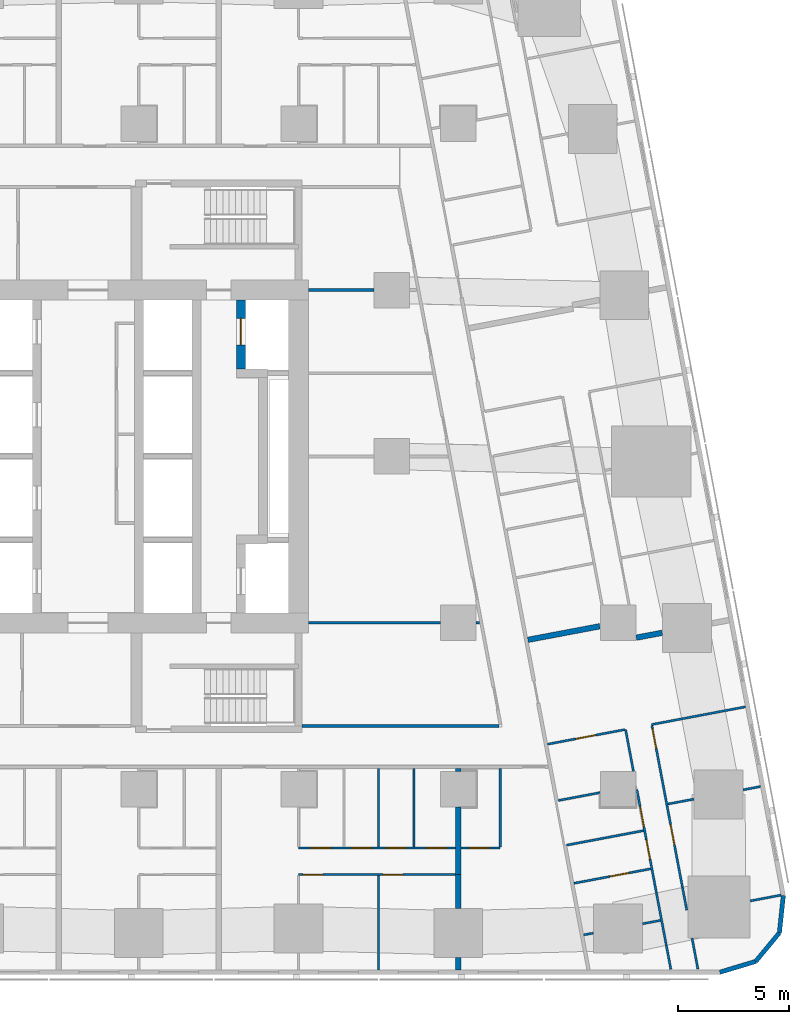
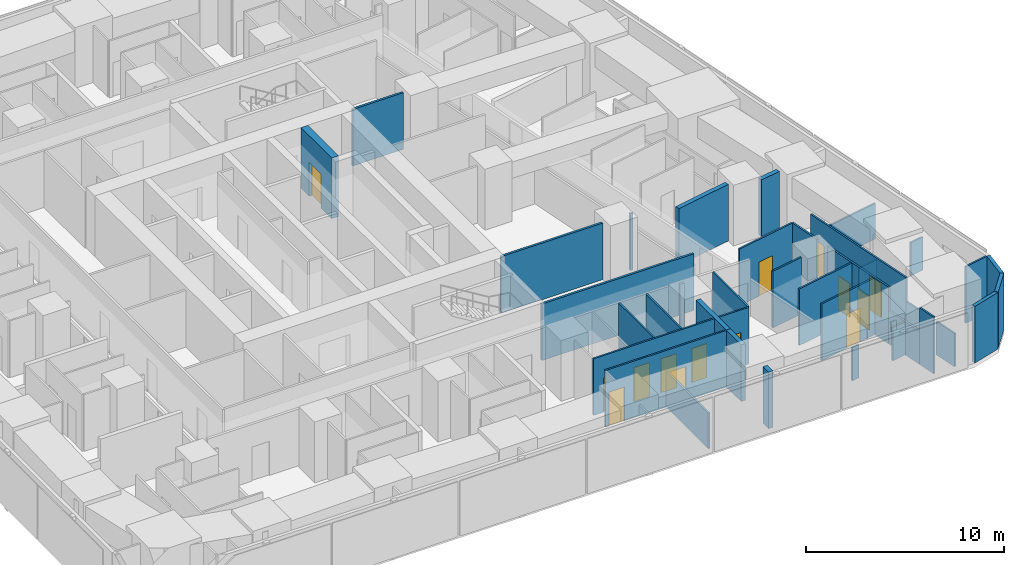
# One storey, part 7 of 16: 38 walls, 14 doors, 14 openings.
"""IFC4 building model written with IfcOpenShell, lengths in metres."""

from ifc_helpers import new_model, si_unit, direction, frame, frame_2d, origin, place, context, subcontext, project, spatial, rectangle, extrude, material, layer, layer_set, type_object, element, fill, save


model = new_model("IFC4")

# Units and contexts
model_context = context("Model", 3, precision=1e-05, world=origin(), true_north=direction((0.0, 1.0)))
body_context = subcontext(model_context, "Body", "Model", "MODEL_VIEW")
ifc_project = project(units=[si_unit("LENGTHUNIT", "METRE"), si_unit("AREAUNIT", "SQUARE_METRE"), si_unit("VOLUMEUNIT", "CUBIC_METRE"), si_unit("PLANEANGLEUNIT", "RADIAN"), si_unit("MASSUNIT", "GRAM", prefix="KILO")], contexts=[model_context])

# Site, building, storey
site_placement = place(None, origin())
site = spatial("IfcSite", under=ifc_project, at=site_placement, CompositionType="ELEMENT")
building_placement = place(site_placement, origin())
building = spatial("IfcBuilding", under=site, at=building_placement, Name="Sheger Commons Tower", CompositionType="ELEMENT")
storey_placement = place(building_placement, frame((0.0, 0.0, 92.89990234375)))
storey = spatial("IfcBuildingStorey", under=building, at=storey_placement, Name="L23", CompositionType="ELEMENT", Elevation=92.89990234375)

# Wall, opening, door
ifc_material_1 = material(Name="Concrete C50/60", Category="concrete")
ifc_layer_1 = layer(ifc_material_1, 0.39990234375)
ifc_layer_set_1 = layer_set([ifc_layer_1], Name="CORE INNER WALL 400")
wall_type_1 = type_object("IfcWallType", Name="CORE INNER WALL 400", PredefinedType="SHEAR", material=ifc_layer_set_1)
wall_1_placement = place(storey_placement, frame((26.199951171875, 26.449951171875, 0.0), z_axis=(0.0, 0.0, 1.0), x_axis=(0.0, 1.0, 0.0)))
wall_1 = element("IfcWall", 1, at=wall_1_placement, inside=storey, type_object=wall_type_1, Name="Core inner wall F north L23", PredefinedType="SHEAR", context=body_context, shape_type="SweptSolid", body=[
    extrude(rectangle(XDim=3.10009765625, YDim=0.39990234375, at=frame_2d((1.550048828125, 0.0))), origin(), (0.0, 0.0, 1.0), 3.75),
])
opening_1_placement = place(wall_1_placement, frame((1.074951171875, 0.0, 0.0)))
opening_1 = element("IfcOpeningElement", 2, at=opening_1_placement, cuts=wall_1, Name="Opening LD2", PredefinedType="OPENING", context=body_context, shape_type="SweptSolid", body=[
    extrude(rectangle(XDim=1.199951171875, YDim=2.10009765625, at=frame_2d((0.60009765625, 1.050048828125))), frame((0.0, 0.2099609375, 0.0), z_axis=(0.0, -1.0, 0.0), x_axis=(1.0, 0.0, 0.0)), (0.0, 0.0, 1.0), 0.419921875),
])
ifc_material_2 = material(Name="Steel door set, fire rated", Category="steel")
door_type_1 = type_object("IfcDoorType", Name="FIREFIGHTING LIFT LANDING DOOR 1200x2100", OperationType="DOUBLE_DOOR_SLIDING", PredefinedType="DOOR", material=ifc_material_2)
door_1_placement = place(opening_1_placement, origin())
door_1 = element("IfcDoor", 3, at=door_1_placement, inside=storey, type_object=door_type_1, Name="Lift FL2 landing door", OperationType="DOUBLE_DOOR_SLIDING", OverallHeight=2.10009765625, OverallWidth=1.199951171875, PredefinedType="DOOR", context=body_context, shape_type="SweptSolid", body=[
    extrude(rectangle(XDim=1.199951171875, YDim=2.10009765625, at=frame_2d((0.60009765625, 1.050048828125))), frame((0.0, 0.02490234375, 0.0), z_axis=(0.0, -1.0, 0.0), x_axis=(1.0, 0.0, 0.0)), (0.0, 0.0, 1.0), 0.050048828125),
])
fill(opening_1, door_1)

# Walls
ifc_material_3 = material(Name="Dense concrete block masonry, plastered both sides (separating wall between flats)", Category="masonry")
ifc_layer_2 = layer(ifc_material_3, 0.25)
ifc_layer_set_2 = layer_set([ifc_layer_2], Name="DEMISING WALL 250")
wall_type_2 = type_object("IfcWallType", Name="DEMISING WALL 250", PredefinedType="SOLIDWALL", material=ifc_layer_set_2)
wall_2_placement = place(storey_placement, frame((36.0, -0.64990234375, 0.0), z_axis=(0.0, 0.0, 1.0), x_axis=(0.0, 1.0, 0.0)))
element("IfcWall", 4, at=wall_2_placement, inside=storey, type_object=wall_type_2, Name="Demising wall L23", PredefinedType="SOLIDWALL", context=body_context, shape_type="SweptSolid", body=[
    extrude(rectangle(XDim=0.573974609375, YDim=0.25, at=frame_2d((0.287109375, 0.0))), origin(), (0.0, 0.0, 1.0), 3.5),
])
wall_3_placement = place(storey_placement, frame((36.0, 2.1259765625, 0.0), z_axis=(0.0, 0.0, 1.0), x_axis=(0.0, 1.0, 0.0)))
element("IfcWall", 5, at=wall_3_placement, inside=storey, type_object=wall_type_2, Name="Demising wall L23", PredefinedType="SOLIDWALL", context=body_context, shape_type="SweptSolid", body=[
    extrude(rectangle(XDim=1.52392578125, YDim=0.25, at=frame_2d((0.761962890625, 0.0))), origin(), (0.0, 0.0, 1.0), 3.5),
])
wall_4_placement = place(storey_placement, frame((36.0, 3.64990234375, 0.0), z_axis=(0.0, 0.0, 1.0), x_axis=(0.0, 1.0, 0.0)))
element("IfcWall", 6, at=wall_4_placement, inside=storey, type_object=wall_type_2, Name="Demising wall L23", PredefinedType="SOLIDWALL", context=body_context, shape_type="SweptSolid", body=[
    extrude(rectangle(XDim=3.049072265625, YDim=0.25, at=frame_2d((1.5244140625, 0.0))), origin(), (0.0, 0.0, 1.0), 3.5),
])
wall_5_placement = place(storey_placement, frame((36.0, 8.301025390625, 0.0), z_axis=(0.0, 0.0, 1.0), x_axis=(0.0, 1.0, 0.0)))
element("IfcWall", 7, at=wall_5_placement, inside=storey, type_object=wall_type_2, Name="Demising wall L23", PredefinedType="SOLIDWALL", context=body_context, shape_type="SweptSolid", body=[
    extrude(rectangle(XDim=0.1240234375, YDim=0.25, at=frame_2d((0.06201171875, 0.0))), origin(), (0.0, 0.0, 1.0), 3.5),
])
wall_6_placement = place(storey_placement, frame((45.18994140625, 14.550048828125, 0.0), z_axis=(0.0, 0.0, 1.0), x_axis=(-0.982666604435, -0.185381618634, 0.0)))
element("IfcWall", 8, at=wall_6_placement, inside=storey, type_object=wall_type_2, Name="Demising wall L23", PredefinedType="SOLIDWALL", context=body_context, shape_type="SweptSolid", body=[
    extrude(rectangle(XDim=1.1865234375, YDim=0.25, at=frame_2d((0.59326171875, 0.0))), origin(), (0.0, 0.0, 1.0), 3.5),
])
wall_7_placement = place(storey_placement, frame((42.3759765625, 14.843994140625, 0.0), z_axis=(0.0, 0.0, 1.0), x_axis=(-0.982610440948, -0.18567908159, 0.0)))
element("IfcWall", 9, at=wall_7_placement, inside=storey, type_object=wall_type_2, Name="Demising wall L23", PredefinedType="SOLIDWALL", context=body_context, shape_type="SweptSolid", body=[
    extrude(rectangle(XDim=3.29638671875, YDim=0.25, at=frame_2d((1.648193359375, 0.0))), origin(), (0.0, 0.0, 1.0), 3.5),
])
ifc_material_4 = material(Name="Rendered concrete block masonry, dark grey", Category="masonry")
ifc_layer_3 = layer(ifc_material_4, 0.199951171875)
ifc_layer_set_3 = layer_set([ifc_layer_3], Name="FACADE WALL 200")
wall_type_3 = type_object("IfcWallType", Name="FACADE WALL 200", PredefinedType="SOLIDWALL", material=ifc_layer_set_3)
wall_8_placement = place(storey_placement, frame((47.791015625, -0.75, 0.0), z_axis=(0.0, 0.0, 1.0), x_axis=(0.957455232626, 0.288581838509, 0.0)))
element("IfcWall", 10, at=wall_8_placement, inside=storey, type_object=wall_type_3, Name="Facade wall L23", PredefinedType="SOLIDWALL", context=body_context, shape_type="SweptSolid", body=[
    extrude(rectangle(XDim=1.687744140625, YDim=0.199951171875, at=frame_2d((0.84375, 0.0))), origin(), (0.0, 0.0, 1.0), 3.5),
])
wall_9_placement = place(storey_placement, frame((49.406982421875, -0.262939453125, 0.0), z_axis=(0.0, 0.0, 1.0), x_axis=(0.638042593423, 0.770001070764, 0.0)))
element("IfcWall", 11, at=wall_9_placement, inside=storey, type_object=wall_type_3, Name="Facade wall L23", PredefinedType="SOLIDWALL", context=body_context, shape_type="SweptSolid", body=[
    extrude(rectangle(XDim=1.672607421875, YDim=0.199951171875, at=frame_2d((0.83642578125, 0.0))), origin(), (0.0, 0.0, 1.0), 3.5),
])
wall_10_placement = place(storey_placement, frame((50.47412109375, 1.02490234375, 0.0), z_axis=(0.0, 0.0, 1.0), x_axis=(0.106047815515, 0.994361031429, 0.0)))
element("IfcWall", 12, at=wall_10_placement, inside=storey, type_object=wall_type_3, Name="Facade wall L23", PredefinedType="SOLIDWALL", context=body_context, shape_type="SweptSolid", body=[
    extrude(rectangle(XDim=1.6875, YDim=0.199951171875, at=frame_2d((0.84375, 0.0))), origin(), (0.0, 0.0, 1.0), 3.5),
])

# Wall, openings, doors
ifc_material_5 = material(Name="Gypsum board on steel studs", Category="steel")
ifc_layer_4 = layer(ifc_material_5, 0.10009765625)
ifc_layer_set_4 = layer_set([ifc_layer_4], Name="PARTITION 100")
wall_type_4 = type_object("IfcWallType", Name="PARTITION 100", PredefinedType="PARTITIONING", material=ifc_layer_set_4)
wall_11_placement = place(storey_placement, frame((35.875, 3.64990234375, 0.0), z_axis=(0.0, 0.0, 1.0), x_axis=(-1.0, 0.0, 0.0)))
wall_11 = element("IfcWall", 13, at=wall_11_placement, inside=storey, type_object=wall_type_4, Name="Partition L23", PredefinedType="PARTITIONING", context=body_context, shape_type="SweptSolid", body=[
    extrude(rectangle(XDim=7.074951171875, YDim=0.10009765625, at=frame_2d((3.53759765625, 0.0))), origin(), (0.0, 0.0, 1.0), 3.5),
])
opening_2_placement = place(wall_11_placement, frame((5.97509765625, 0.0, 0.0)))
opening_2 = element("IfcOpeningElement", 14, at=opening_2_placement, cuts=wall_11, Name="Opening D2", PredefinedType="OPENING", context=body_context, shape_type="SweptSolid", body=[
    extrude(rectangle(XDim=0.89990234375, YDim=2.10009765625, at=frame_2d((0.449951171875, 1.050048828125))), frame((0.0, 0.06005859375, 0.0), z_axis=(0.0, -1.0, 0.0), x_axis=(1.0, 0.0, 0.0)), (0.0, 0.0, 1.0), 0.1201171875),
])
opening_3_placement = place(wall_11_placement, frame((2.375, 0.0, 0.0)))
opening_3 = element("IfcOpeningElement", 15, at=opening_3_placement, cuts=wall_11, Name="Opening D2", PredefinedType="OPENING", context=body_context, shape_type="SweptSolid", body=[
    extrude(rectangle(XDim=0.89990234375, YDim=2.10009765625, at=frame_2d((0.449951171875, 1.050048828125))), frame((0.0, 0.06005859375, 0.0), z_axis=(0.0, -1.0, 0.0), x_axis=(1.0, 0.0, 0.0)), (0.0, 0.0, 1.0), 0.1201171875),
])
ifc_material_6 = material(Name="Timber door set", Category="wood")
door_type_2 = type_object("IfcDoorType", Name="INTERNAL DOOR 900x2100", OperationType="NOTDEFINED", PredefinedType="DOOR", material=ifc_material_6)
door_2_placement = place(opening_2_placement, origin())
door_2 = element("IfcDoor", 16, at=door_2_placement, inside=storey, type_object=door_type_2, Name="Main bedroom door", OperationType="SINGLE_SWING_RIGHT", OverallHeight=2.10009765625, OverallWidth=0.89990234375, PredefinedType="DOOR", context=body_context, shape_type="SweptSolid", body=[
    extrude(rectangle(XDim=0.89990234375, YDim=2.10009765625, at=frame_2d((0.449951171875, 1.050048828125))), frame((0.0, 0.02490234375, 0.0), z_axis=(0.0, -1.0, 0.0), x_axis=(1.0, 0.0, 0.0)), (0.0, 0.0, 1.0), 0.050048828125),
])
fill(opening_2, door_2)
door_3_placement = place(opening_3_placement, origin())
door_3 = element("IfcDoor", 17, at=door_3_placement, inside=storey, type_object=door_type_2, Name="Bedroom 2 door", OperationType="SINGLE_SWING_RIGHT", OverallHeight=2.10009765625, OverallWidth=0.89990234375, PredefinedType="DOOR", context=body_context, shape_type="SweptSolid", body=[
    extrude(rectangle(XDim=0.89990234375, YDim=2.10009765625, at=frame_2d((0.449951171875, 1.050048828125))), frame((0.0, 0.02490234375, 0.0), z_axis=(0.0, -1.0, 0.0), x_axis=(1.0, 0.0, 0.0)), (0.0, 0.0, 1.0), 0.050048828125),
])
fill(opening_3, door_3)

wall_12_placement = place(storey_placement, frame((35.875, 4.85009765625, 0.0), z_axis=(0.0, 0.0, 1.0), x_axis=(-1.0, 0.0, 0.0)))
wall_12 = element("IfcWall", 18, at=wall_12_placement, inside=storey, type_object=wall_type_4, Name="Partition L23", PredefinedType="PARTITIONING", context=body_context, shape_type="SweptSolid", body=[
    extrude(rectangle(XDim=7.074951171875, YDim=0.10009765625, at=frame_2d((3.53759765625, 0.0))), origin(), (0.0, 0.0, 1.0), 3.5),
])
opening_4_placement = place(wall_12_placement, frame((5.60009765625, 0.0, 0.0)))
opening_4 = element("IfcOpeningElement", 19, at=opening_4_placement, cuts=wall_12, Name="Opening D2", PredefinedType="OPENING", context=body_context, shape_type="SweptSolid", body=[
    extrude(rectangle(XDim=0.89990234375, YDim=2.10009765625, at=frame_2d((0.449951171875, 1.050048828125))), frame((0.0, 0.06005859375, 0.0), z_axis=(0.0, -1.0, 0.0), x_axis=(1.0, 0.0, 0.0)), (0.0, 0.0, 1.0), 0.1201171875),
])
opening_5_placement = place(wall_12_placement, frame((2.22509765625, 0.0, 0.0)))
opening_5 = element("IfcOpeningElement", 20, at=opening_5_placement, cuts=wall_12, Name="Opening D2", PredefinedType="OPENING", context=body_context, shape_type="SweptSolid", body=[
    extrude(rectangle(XDim=0.89990234375, YDim=2.10009765625, at=frame_2d((0.449951171875, 1.050048828125))), frame((0.0, 0.06005859375, 0.0), z_axis=(0.0, -1.0, 0.0), x_axis=(1.0, 0.0, 0.0)), (0.0, 0.0, 1.0), 0.1201171875),
])
opening_6_placement = place(wall_12_placement, frame((3.800048828125, 0.0, 0.0)))
opening_6 = element("IfcOpeningElement", 21, at=opening_6_placement, cuts=wall_12, Name="Opening D2", PredefinedType="OPENING", context=body_context, shape_type="SweptSolid", body=[
    extrude(rectangle(XDim=0.89990234375, YDim=2.10009765625, at=frame_2d((0.449951171875, 1.050048828125))), frame((0.0, 0.06005859375, 0.0), z_axis=(0.0, -1.0, 0.0), x_axis=(1.0, 0.0, 0.0)), (0.0, 0.0, 1.0), 0.1201171875),
])
opening_7_placement = place(wall_12_placement, frame((0.425048828125, 0.0, 0.0)))
opening_7 = element("IfcOpeningElement", 22, at=opening_7_placement, cuts=wall_12, Name="Opening D2", PredefinedType="OPENING", context=body_context, shape_type="SweptSolid", body=[
    extrude(rectangle(XDim=0.89990234375, YDim=2.10009765625, at=frame_2d((0.449951171875, 1.050048828125))), frame((0.0, 0.06005859375, 0.0), z_axis=(0.0, -1.0, 0.0), x_axis=(1.0, 0.0, 0.0)), (0.0, 0.0, 1.0), 0.1201171875),
])
door_4_placement = place(opening_4_placement, origin())
door_4 = element("IfcDoor", 23, at=door_4_placement, inside=storey, type_object=door_type_2, Name="Bathroom door", OperationType="SINGLE_SWING_LEFT", OverallHeight=2.10009765625, OverallWidth=0.89990234375, PredefinedType="DOOR", context=body_context, shape_type="SweptSolid", body=[
    extrude(rectangle(XDim=0.89990234375, YDim=2.10009765625, at=frame_2d((0.449951171875, 1.050048828125))), frame((0.0, 0.02490234375, 0.0), z_axis=(0.0, -1.0, 0.0), x_axis=(1.0, 0.0, 0.0)), (0.0, 0.0, 1.0), 0.050048828125),
])
fill(opening_4, door_4)
door_5_placement = place(opening_5_placement, origin())
door_5 = element("IfcDoor", 24, at=door_5_placement, inside=storey, type_object=door_type_2, Name="Shower room door", OperationType="SINGLE_SWING_LEFT", OverallHeight=2.10009765625, OverallWidth=0.89990234375, PredefinedType="DOOR", context=body_context, shape_type="SweptSolid", body=[
    extrude(rectangle(XDim=0.89990234375, YDim=2.10009765625, at=frame_2d((0.449951171875, 1.050048828125))), frame((0.0, 0.02490234375, 0.0), z_axis=(0.0, -1.0, 0.0), x_axis=(1.0, 0.0, 0.0)), (0.0, 0.0, 1.0), 0.050048828125),
])
fill(opening_5, door_5)
door_6_placement = place(opening_6_placement, origin())
door_6 = element("IfcDoor", 25, at=door_6_placement, inside=storey, type_object=door_type_2, Name="Store door", OperationType="SINGLE_SWING_LEFT", OverallHeight=2.10009765625, OverallWidth=0.89990234375, PredefinedType="DOOR", context=body_context, shape_type="SweptSolid", body=[
    extrude(rectangle(XDim=0.89990234375, YDim=2.10009765625, at=frame_2d((0.449951171875, 1.050048828125))), frame((0.0, 0.02490234375, 0.0), z_axis=(0.0, -1.0, 0.0), x_axis=(1.0, 0.0, 0.0)), (0.0, 0.0, 1.0), 0.050048828125),
])
fill(opening_6, door_6)
door_7_placement = place(opening_7_placement, origin())
door_7 = element("IfcDoor", 26, at=door_7_placement, inside=storey, type_object=door_type_2, Name="Store door", OperationType="SINGLE_SWING_RIGHT", OverallHeight=2.10009765625, OverallWidth=0.89990234375, PredefinedType="DOOR", context=body_context, shape_type="SweptSolid", body=[
    extrude(rectangle(XDim=0.89990234375, YDim=2.10009765625, at=frame_2d((0.449951171875, 1.050048828125))), frame((0.0, 0.02490234375, 0.0), z_axis=(0.0, -1.0, 0.0), x_axis=(1.0, 0.0, 0.0)), (0.0, 0.0, 1.0), 0.050048828125),
])
fill(opening_7, door_7)

# Walls
wall_13_placement = place(storey_placement, frame((32.39990234375, -0.64990234375, 0.0), z_axis=(0.0, 0.0, 1.0), x_axis=(0.0, 1.0, 0.0)))
element("IfcWall", 27, at=wall_13_placement, inside=storey, type_object=wall_type_4, Name="Partition L23", PredefinedType="PARTITIONING", context=body_context, shape_type="SweptSolid", body=[
    extrude(rectangle(XDim=4.25, YDim=0.10009765625, at=frame_2d((2.125, 0.0))), origin(), (0.0, 0.0, 1.0), 2.2001953125),
])
for number, where, z_axis, x_axis, name in (
    (28, (32.39990234375, 4.89990234375, 0.0), (0.0, 0.0, 1.0), (0.0, 1.0, 0.0), "Partition L23"),
    (29, (34.0, 4.89990234375, 0.0), (0.0, 0.0, 1.0), (0.0, 1.0, 0.0), "Partition L23"),
):
    element("IfcWall", number, at=place(storey_placement, frame(where, z_axis=z_axis, x_axis=x_axis)), inside=storey, type_object=wall_type_4, Name=name, PredefinedType="PARTITIONING", context=body_context, shape_type="SweptSolid", body=[
        extrude(rectangle(XDim=3.525146484375, YDim=0.10009765625, at=frame_2d((1.7626953125, 0.0))), origin(), (0.0, 0.0, 1.0), 3.5),
    ])

# Wall, opening, door
wall_14_placement = place(storey_placement, frame((37.889892578125, 4.85009765625, 0.0), z_axis=(0.0, 0.0, 1.0), x_axis=(-1.0, 0.0, 0.0)))
wall_14 = element("IfcWall", 30, at=wall_14_placement, inside=storey, type_object=wall_type_4, Name="Partition L23", PredefinedType="PARTITIONING", context=body_context, shape_type="SweptSolid", body=[
    extrude(rectangle(XDim=1.764892578125, YDim=0.10009765625, at=frame_2d((0.88232421875, 0.0))), origin(), (0.0, 0.0, 1.0), 3.5),
])
opening_8_placement = place(wall_14_placement, frame((0.489990234375, 0.0, 0.0)))
opening_8 = element("IfcOpeningElement", 31, at=opening_8_placement, cuts=wall_14, Name="Opening D2", PredefinedType="OPENING", context=body_context, shape_type="SweptSolid", body=[
    extrude(rectangle(XDim=0.89990234375, YDim=2.10009765625, at=frame_2d((0.449951171875, 1.050048828125))), frame((0.0, 0.06005859375, 0.0), z_axis=(0.0, -1.0, 0.0), x_axis=(1.0, 0.0, 0.0)), (0.0, 0.0, 1.0), 0.1201171875),
])
door_8_placement = place(opening_8_placement, origin())
door_8 = element("IfcDoor", 32, at=door_8_placement, inside=storey, type_object=door_type_2, Name="Shower room door", OperationType="SINGLE_SWING_LEFT", OverallHeight=2.10009765625, OverallWidth=0.89990234375, PredefinedType="DOOR", context=body_context, shape_type="SweptSolid", body=[
    extrude(rectangle(XDim=0.89990234375, YDim=2.10009765625, at=frame_2d((0.449951171875, 1.050048828125))), frame((0.0, 0.02490234375, 0.0), z_axis=(0.0, -1.0, 0.0), x_axis=(1.0, 0.0, 0.0)), (0.0, 0.0, 1.0), 0.050048828125),
])
fill(opening_8, door_8)

# Wall
wall_15_placement = place(storey_placement, frame((37.889892578125, 4.89990234375, 0.0), z_axis=(0.0, 0.0, 1.0), x_axis=(0.0, 1.0, 0.0)))
element("IfcWall", 33, at=wall_15_placement, inside=storey, type_object=wall_type_4, Name="Partition L23", PredefinedType="PARTITIONING", context=body_context, shape_type="SweptSolid", body=[
    extrude(rectangle(XDim=3.525146484375, YDim=0.10009765625, at=frame_2d((1.7626953125, 0.0))), origin(), (0.0, 0.0, 1.0), 3.5),
])

# Wall, openings, doors
wall_16_placement = place(storey_placement, frame((44.72705078125, 10.365966796875, 0.0), z_axis=(0.0, 0.0, 1.0), x_axis=(0.185678775129, -0.982610498858, 0.0)))
wall_16 = element("IfcWall", 34, at=wall_16_placement, inside=storey, type_object=wall_type_4, Name="Partition L23", PredefinedType="PARTITIONING", context=body_context, shape_type="SweptSolid", body=[
    extrude(rectangle(XDim=7.421142578125, YDim=0.10009765625, at=frame_2d((3.71044921875, 0.0))), origin(), (0.0, 0.0, 1.0), 3.5),
])
opening_9_placement = place(wall_16_placement, frame((0.15087890625, 0.0, 0.0)))
opening_9 = element("IfcOpeningElement", 35, at=opening_9_placement, cuts=wall_16, Name="Opening D2", PredefinedType="OPENING", context=body_context, shape_type="SweptSolid", body=[
    extrude(rectangle(XDim=0.89990234375, YDim=2.10009765625, at=frame_2d((0.449951171875, 1.050048828125))), frame((0.0, 0.06005859375, 0.0), z_axis=(0.0, -1.0, 0.0), x_axis=(1.0, 0.0, 0.0)), (0.0, 0.0, 1.0), 0.1201171875),
])
opening_10_placement = place(wall_16_placement, frame((4.550048828125, 0.0, 0.0)))
opening_10 = element("IfcOpeningElement", 36, at=opening_10_placement, cuts=wall_16, Name="Opening D2", PredefinedType="OPENING", context=body_context, shape_type="SweptSolid", body=[
    extrude(rectangle(XDim=0.89990234375, YDim=2.10009765625, at=frame_2d((0.449951171875, 1.050048828125))), frame((0.0, 0.06005859375, 0.0), z_axis=(0.0, -1.0, 0.0), x_axis=(1.0, 0.0, 0.0)), (0.0, 0.0, 1.0), 0.1201171875),
])
door_9_placement = place(opening_9_placement, origin())
door_9 = element("IfcDoor", 37, at=door_9_placement, inside=storey, type_object=door_type_2, Name="Main bedroom door", OperationType="SINGLE_SWING_LEFT", OverallHeight=2.10009765625, OverallWidth=0.89990234375, PredefinedType="DOOR", context=body_context, shape_type="SweptSolid", body=[
    extrude(rectangle(XDim=0.89990234375, YDim=2.10009765625, at=frame_2d((0.449951171875, 1.050048828125))), frame((0.0, 0.02490234375, 0.0), z_axis=(0.0, -1.0, 0.0), x_axis=(1.0, 0.0, 0.0)), (0.0, 0.0, 1.0), 0.050048828125),
])
fill(opening_9, door_9)
door_10_placement = place(opening_10_placement, origin())
door_10 = element("IfcDoor", 38, at=door_10_placement, inside=storey, type_object=door_type_2, Name="Bedroom 2 door", OperationType="SINGLE_SWING_LEFT", OverallHeight=2.10009765625, OverallWidth=0.89990234375, PredefinedType="DOOR", context=body_context, shape_type="SweptSolid", body=[
    extrude(rectangle(XDim=0.89990234375, YDim=2.10009765625, at=frame_2d((0.449951171875, 1.050048828125))), frame((0.0, 0.02490234375, 0.0), z_axis=(0.0, -1.0, 0.0), x_axis=(1.0, 0.0, 0.0)), (0.0, 0.0, 1.0), 0.050048828125),
])
fill(opening_10, door_10)

# Walls
wall_17_placement = place(storey_placement, frame((46.10498046875, 3.073974609375, 0.0), z_axis=(0.0, 0.0, 1.0), x_axis=(0.185897769544, -0.982569091351, 0.0)))
element("IfcWall", 39, at=wall_17_placement, inside=storey, type_object=wall_type_4, Name="Partition L23", PredefinedType="PARTITIONING", context=body_context, shape_type="SweptSolid", body=[
    extrude(rectangle(XDim=1.044189453125, YDim=0.10009765625, at=frame_2d((0.52197265625, 0.0))), origin(), (0.0, 0.0, 1.0), 2.050048828125),
])
wall_18_placement = place(storey_placement, frame((46.537109375, 0.787109375, 0.0), z_axis=(0.0, 0.0, 1.0), x_axis=(0.185348284603, -0.982672892368, 0.0)))
element("IfcWall", 40, at=wall_18_placement, inside=storey, type_object=wall_type_4, Name="Partition L23", PredefinedType="PARTITIONING", context=body_context, shape_type="SweptSolid", body=[
    extrude(rectangle(XDim=1.418701171875, YDim=0.10009765625, at=frame_2d((0.70947265625, 0.0))), origin(), (0.0, 0.0, 1.0), 2.050048828125),
])
wall_19_placement = place(storey_placement, frame((43.5390625, 10.19189453125, 0.0), z_axis=(0.0, 0.0, 1.0), x_axis=(0.185366049966, -0.982669541362, 0.0)))
element("IfcWall", 41, at=wall_19_placement, inside=storey, type_object=wall_type_4, Name="Partition L23", PredefinedType="PARTITIONING", context=body_context, shape_type="SweptSolid", body=[
    extrude(rectangle(XDim=1.9150390625, YDim=0.10009765625, at=frame_2d((0.95751953125, 0.0))), origin(), (0.0, 0.0, 1.0), 3.5),
])

# Wall, openings, doors
wall_20_placement = place(storey_placement, frame((44.049072265625, 7.489990234375, 0.0), z_axis=(0.0, 0.0, 1.0), x_axis=(0.185666332607, -0.982612849975, 0.0)))
wall_20 = element("IfcWall", 42, at=wall_20_placement, inside=storey, type_object=wall_type_4, Name="Partition L23", PredefinedType="PARTITIONING", context=body_context, shape_type="SweptSolid", body=[
    extrude(rectangle(XDim=4.74951171875, YDim=0.10009765625, at=frame_2d((2.374755859375, 0.0))), origin(), (0.0, 0.0, 1.0), 3.5),
])
opening_11_placement = place(wall_20_placement, frame((0.800048828125, 0.0, 0.0)))
opening_11 = element("IfcOpeningElement", 43, at=opening_11_placement, cuts=wall_20, Name="Opening D2", PredefinedType="OPENING", context=body_context, shape_type="SweptSolid", body=[
    extrude(rectangle(XDim=0.89990234375, YDim=2.10009765625, at=frame_2d((0.449951171875, 1.050048828125))), frame((0.0, 0.06005859375, 0.0), z_axis=(0.0, -1.0, 0.0), x_axis=(1.0, 0.0, 0.0)), (0.0, 0.0, 1.0), 0.1201171875),
])
opening_12_placement = place(wall_20_placement, frame((2.31494140625, 0.0, 0.0)))
opening_12 = element("IfcOpeningElement", 44, at=opening_12_placement, cuts=wall_20, Name="Opening D2", PredefinedType="OPENING", context=body_context, shape_type="SweptSolid", body=[
    extrude(rectangle(XDim=0.89990234375, YDim=2.10009765625, at=frame_2d((0.449951171875, 1.050048828125))), frame((0.0, 0.06005859375, 0.0), z_axis=(0.0, -1.0, 0.0), x_axis=(1.0, 0.0, 0.0)), (0.0, 0.0, 1.0), 0.1201171875),
])
door_11_placement = place(opening_11_placement, origin())
door_11 = element("IfcDoor", 45, at=door_11_placement, inside=storey, type_object=door_type_2, Name="Bathroom door", OperationType="SINGLE_SWING_LEFT", OverallHeight=2.10009765625, OverallWidth=0.89990234375, PredefinedType="DOOR", context=body_context, shape_type="SweptSolid", body=[
    extrude(rectangle(XDim=0.89990234375, YDim=2.10009765625, at=frame_2d((0.449951171875, 1.050048828125))), frame((0.0, 0.02490234375, 0.0), z_axis=(0.0, -1.0, 0.0), x_axis=(1.0, 0.0, 0.0)), (0.0, 0.0, 1.0), 0.050048828125),
])
fill(opening_11, door_11)
door_12_placement = place(opening_12_placement, origin())
door_12 = element("IfcDoor", 46, at=door_12_placement, inside=storey, type_object=door_type_2, Name="Store door", OperationType="SINGLE_SWING_LEFT", OverallHeight=2.10009765625, OverallWidth=0.89990234375, PredefinedType="DOOR", context=body_context, shape_type="SweptSolid", body=[
    extrude(rectangle(XDim=0.89990234375, YDim=2.10009765625, at=frame_2d((0.449951171875, 1.050048828125))), frame((0.0, 0.02490234375, 0.0), z_axis=(0.0, -1.0, 0.0), x_axis=(1.0, 0.0, 0.0)), (0.0, 0.0, 1.0), 0.050048828125),
])
fill(opening_12, door_12)

# Walls
wall_21_placement = place(storey_placement, frame((44.930908203125, 2.822998046875, 0.0), z_axis=(0.0, 0.0, 1.0), x_axis=(0.185631845838, -0.982619365681, 0.0)))
element("IfcWall", 47, at=wall_21_placement, inside=storey, type_object=wall_type_4, Name="Partition L23", PredefinedType="PARTITIONING", context=body_context, shape_type="SweptSolid", body=[
    extrude(rectangle(XDim=2.40283203125, YDim=0.10009765625, at=frame_2d((1.201416015625, 0.0))), origin(), (0.0, 0.0, 1.0), 2.050048828125),
])
wall_22_placement = place(storey_placement, frame((45.376953125, 0.4619140625, 0.0), z_axis=(0.0, 0.0, 1.0), x_axis=(0.185513480919, -0.982641719243, 0.0)))
element("IfcWall", 48, at=wall_22_placement, inside=storey, type_object=wall_type_4, Name="Partition L23", PredefinedType="PARTITIONING", context=body_context, shape_type="SweptSolid", body=[
    extrude(rectangle(XDim=1.094970703125, YDim=0.10009765625, at=frame_2d((0.54736328125, 0.0))), origin(), (0.0, 0.0, 1.0), 3.5),
])
wall_23_placement = place(storey_placement, frame((48.943115234375, 11.212890625, 0.0), z_axis=(0.0, 0.0, 1.0), x_axis=(-0.982633535512, -0.185556823879, 0.0)))
element("IfcWall", 49, at=wall_23_placement, inside=storey, type_object=wall_type_4, Name="Partition L23", PredefinedType="PARTITIONING", context=body_context, shape_type="SweptSolid", body=[
    extrude(rectangle(XDim=4.2998046875, YDim=0.10009765625, at=frame_2d((2.14990234375, 0.0))), origin(), (0.0, 0.0, 1.0), 2.2001953125),
])
wall_24_placement = place(storey_placement, frame((49.6220703125, 7.6201171875, 0.0), z_axis=(0.0, 0.0, 1.0), x_axis=(-0.982512656401, -0.186195810938, 0.0)))
element("IfcWall", 50, at=wall_24_placement, inside=storey, type_object=wall_type_4, Name="Partition L23", PredefinedType="PARTITIONING", context=body_context, shape_type="SweptSolid", body=[
    extrude(rectangle(XDim=0.7958984375, YDim=0.10009765625, at=frame_2d((0.39794921875, 0.0))), origin(), (0.0, 0.0, 1.0), 2.050048828125),
])
wall_25_placement = place(storey_placement, frame((46.6201171875, 7.052978515625, 0.0), z_axis=(0.0, 0.0, 1.0), x_axis=(-0.982749355621, -0.18494243436, 0.0)))
element("IfcWall", 51, at=wall_25_placement, inside=storey, type_object=wall_type_4, Name="Partition L23", PredefinedType="PARTITIONING", context=body_context, shape_type="SweptSolid", body=[
    extrude(rectangle(XDim=1.194580078125, YDim=0.10009765625, at=frame_2d((0.59716796875, 0.0))), origin(), (0.0, 0.0, 1.0), 2.050048828125),
])
wall_26_placement = place(storey_placement, frame((50.547119140625, 2.72607421875, 0.0), z_axis=(0.0, 0.0, 1.0), x_axis=(-0.982680053146, -0.185310315822, 0.0)))
element("IfcWall", 52, at=wall_26_placement, inside=storey, type_object=wall_type_4, Name="Partition L23", PredefinedType="PARTITIONING", context=body_context, shape_type="SweptSolid", body=[
    extrude(rectangle(XDim=1.41357421875, YDim=0.10009765625, at=frame_2d((0.706787109375, 0.0))), origin(), (0.0, 0.0, 1.0), 3.5),
])

# Wall, opening, door
wall_27_placement = place(storey_placement, frame((43.489990234375, 10.18310546875, 0.0), z_axis=(0.0, 0.0, 1.0), x_axis=(-0.982588017646, -0.185797706064, 0.0)))
wall_27 = element("IfcWall", 53, at=wall_27_placement, inside=storey, type_object=wall_type_4, Name="Partition L23", PredefinedType="PARTITIONING", context=body_context, shape_type="SweptSolid", body=[
    extrude(rectangle(XDim=3.525390625, YDim=0.10009765625, at=frame_2d((1.7626953125, 0.0))), origin(), (0.0, 0.0, 1.0), 3.5),
])
opening_13_placement = place(wall_27_placement, frame((1.324951171875, 0.0, 0.0)))
opening_13 = element("IfcOpeningElement", 54, at=opening_13_placement, cuts=wall_27, Name="Opening D2", PredefinedType="OPENING", context=body_context, shape_type="SweptSolid", body=[
    extrude(rectangle(XDim=0.89990234375, YDim=2.10009765625, at=frame_2d((0.449951171875, 1.050048828125))), frame((0.0, 0.06005859375, 0.0), z_axis=(0.0, -1.0, 0.0), x_axis=(1.0, 0.0, 0.0)), (0.0, 0.0, 1.0), 0.1201171875),
])
door_13_placement = place(opening_13_placement, origin())
door_13 = element("IfcDoor", 55, at=door_13_placement, inside=storey, type_object=door_type_2, Name="Store door", OperationType="SINGLE_SWING_RIGHT", OverallHeight=2.10009765625, OverallWidth=0.89990234375, PredefinedType="DOOR", context=body_context, shape_type="SweptSolid", body=[
    extrude(rectangle(XDim=0.89990234375, YDim=2.10009765625, at=frame_2d((0.449951171875, 1.050048828125))), frame((0.0, 0.02490234375, 0.0), z_axis=(0.0, -1.0, 0.0), x_axis=(1.0, 0.0, 0.0)), (0.0, 0.0, 1.0), 0.050048828125),
])
fill(opening_13, door_13)

# Walls
wall_28_placement = place(storey_placement, frame((42.389892578125, 7.346923828125, 0.0), z_axis=(0.0, 0.0, 1.0), x_axis=(-0.982633642782, -0.185556255819, 0.0)))
element("IfcWall", 56, at=wall_28_placement, inside=storey, type_object=wall_type_4, Name="Partition L23", PredefinedType="PARTITIONING", context=body_context, shape_type="SweptSolid", body=[
    extrude(rectangle(XDim=1.918212890625, YDim=0.10009765625, at=frame_2d((0.958984375, 0.0))), origin(), (0.0, 0.0, 1.0), 3.5),
])
wall_29_placement = place(storey_placement, frame((45.114013671875, 1.5869140625, 0.0), z_axis=(0.0, 0.0, 1.0), x_axis=(-0.982624706348, -0.185603573443, 0.0)))
element("IfcWall", 57, at=wall_29_placement, inside=storey, type_object=wall_type_4, Name="Partition L23", PredefinedType="PARTITIONING", context=body_context, shape_type="SweptSolid", body=[
    extrude(rectangle(XDim=0.818115234375, YDim=0.10009765625, at=frame_2d((0.4091796875, 0.0))), origin(), (0.0, 0.0, 1.0), 2.050048828125),
])
wall_30_placement = place(storey_placement, frame((42.090087890625, 1.014892578125, 0.0), z_axis=(0.0, 0.0, 1.0), x_axis=(-0.982680384557, -0.185308558375, 0.0)))
element("IfcWall", 58, at=wall_30_placement, inside=storey, type_object=wall_type_4, Name="Partition L23", PredefinedType="PARTITIONING", context=body_context, shape_type="SweptSolid", body=[
    extrude(rectangle(XDim=0.447998046875, YDim=0.10009765625, at=frame_2d((0.22412109375, 0.0))), origin(), (0.0, 0.0, 1.0), 2.050048828125),
])
wall_31_placement = place(storey_placement, frame((44.35009765625, 5.631103515625, 0.0), z_axis=(0.0, 0.0, 1.0), x_axis=(-0.982638553676, -0.185530247748, 0.0)))
element("IfcWall", 59, at=wall_31_placement, inside=storey, type_object=wall_type_4, Name="Partition L23", PredefinedType="PARTITIONING", context=body_context, shape_type="SweptSolid", body=[
    extrude(rectangle(XDim=3.525390625, YDim=0.10009765625, at=frame_2d((1.7626953125, 0.0))), origin(), (0.0, 0.0, 1.0), 3.5),
])

# Wall, opening, door
wall_32_placement = place(storey_placement, frame((41.2099609375, 3.258056640625, 0.0), z_axis=(0.0, 0.0, 1.0), x_axis=(0.982638553676, 0.185530247748, 0.0)))
wall_32 = element("IfcWall", 60, at=wall_32_placement, inside=storey, type_object=wall_type_4, Name="Partition L23", PredefinedType="PARTITIONING", context=body_context, shape_type="SweptSolid", body=[
    extrude(rectangle(XDim=3.525390625, YDim=0.10009765625, at=frame_2d((1.7626953125, 0.0))), origin(), (0.0, 0.0, 1.0), 3.5),
])
opening_14_placement = place(wall_32_placement, frame((1.64990234375, 0.0, 0.0)))
opening_14 = element("IfcOpeningElement", 61, at=opening_14_placement, cuts=wall_32, Name="Opening D2", PredefinedType="OPENING", context=body_context, shape_type="SweptSolid", body=[
    extrude(rectangle(XDim=0.89990234375, YDim=2.10009765625, at=frame_2d((0.449951171875, 1.050048828125))), frame((0.0, 0.06005859375, 0.0), z_axis=(0.0, -1.0, 0.0), x_axis=(1.0, 0.0, 0.0)), (0.0, 0.0, 1.0), 0.1201171875),
])
door_14_placement = place(opening_14_placement, origin())
door_14 = element("IfcDoor", 62, at=door_14_placement, inside=storey, type_object=door_type_2, Name="Store door", OperationType="SINGLE_SWING_RIGHT", OverallHeight=2.10009765625, OverallWidth=0.89990234375, PredefinedType="DOOR", context=body_context, shape_type="SweptSolid", body=[
    extrude(rectangle(XDim=0.89990234375, YDim=2.10009765625, at=frame_2d((0.449951171875, 1.050048828125))), frame((0.0, 0.02490234375, 0.0), z_axis=(0.0, -1.0, 0.0), x_axis=(1.0, 0.0, 0.0)), (0.0, 0.0, 1.0), 0.050048828125),
])
fill(opening_14, door_14)

# Walls
ifc_material_7 = material(Name="Gypsum board on steel studs, two layers each side, fire rated", Category="steel")
ifc_layer_5 = layer(ifc_material_7, 0.125)
ifc_layer_set_5 = layer_set([ifc_layer_5], Name="SERVICE WALL 125")
wall_type_5 = type_object("IfcWallType", Name="SERVICE WALL 125", PredefinedType="PARTITIONING", material=ifc_layer_set_5)
wall_33_placement = place(storey_placement, frame((28.949951171875, 10.35009765625, 0.0), z_axis=(0.0, 0.0, 1.0), x_axis=(1.0, 0.0, 0.0)))
element("IfcWall", 63, at=wall_33_placement, inside=storey, type_object=wall_type_5, Name="Service room wall L23", PredefinedType="PARTITIONING", context=body_context, shape_type="SweptSolid", body=[
    extrude(rectangle(XDim=8.885986328125, YDim=0.125, at=frame_2d((4.44287109375, 0.0))), origin(), (0.0, 0.0, 1.0), 3.5),
])
wall_34_placement = place(storey_placement, frame((29.25, 15.0, 0.0), z_axis=(0.0, 0.0, 1.0), x_axis=(1.0, 0.0, 0.0)))
element("IfcWall", 64, at=wall_34_placement, inside=storey, type_object=wall_type_5, Name="Service room wall L23", PredefinedType="PARTITIONING", context=body_context, shape_type="SweptSolid", body=[
    extrude(rectangle(XDim=5.948974609375, YDim=0.125, at=frame_2d((2.974609375, 0.0))), origin(), (0.0, 0.0, 1.0), 3.5),
])
wall_35_placement = place(storey_placement, frame((36.801025390625, 15.0, 0.0), z_axis=(0.0, 0.0, 1.0), x_axis=(1.0, 0.0, 0.0)))
element("IfcWall", 65, at=wall_35_placement, inside=storey, type_object=wall_type_5, Name="Service room wall L23", PredefinedType="PARTITIONING", context=body_context, shape_type="SweptSolid", body=[
    extrude(rectangle(XDim=0.156982421875, YDim=0.125, at=frame_2d((0.07861328125, 0.0))), origin(), (0.0, 0.0, 1.0), 3.5),
])
wall_36_placement = place(storey_placement, frame((29.25, 30.0, 0.0), z_axis=(0.0, 0.0, 1.0), x_axis=(1.0, 0.0, 0.0)))
element("IfcWall", 66, at=wall_36_placement, inside=storey, type_object=wall_type_5, Name="Service room wall L23", PredefinedType="PARTITIONING", context=body_context, shape_type="SweptSolid", body=[
    extrude(rectangle(XDim=2.948974609375, YDim=0.125, at=frame_2d((1.474609375, 0.0))), origin(), (0.0, 0.0, 1.0), 3.5),
])

save(model, "model.ifc")
